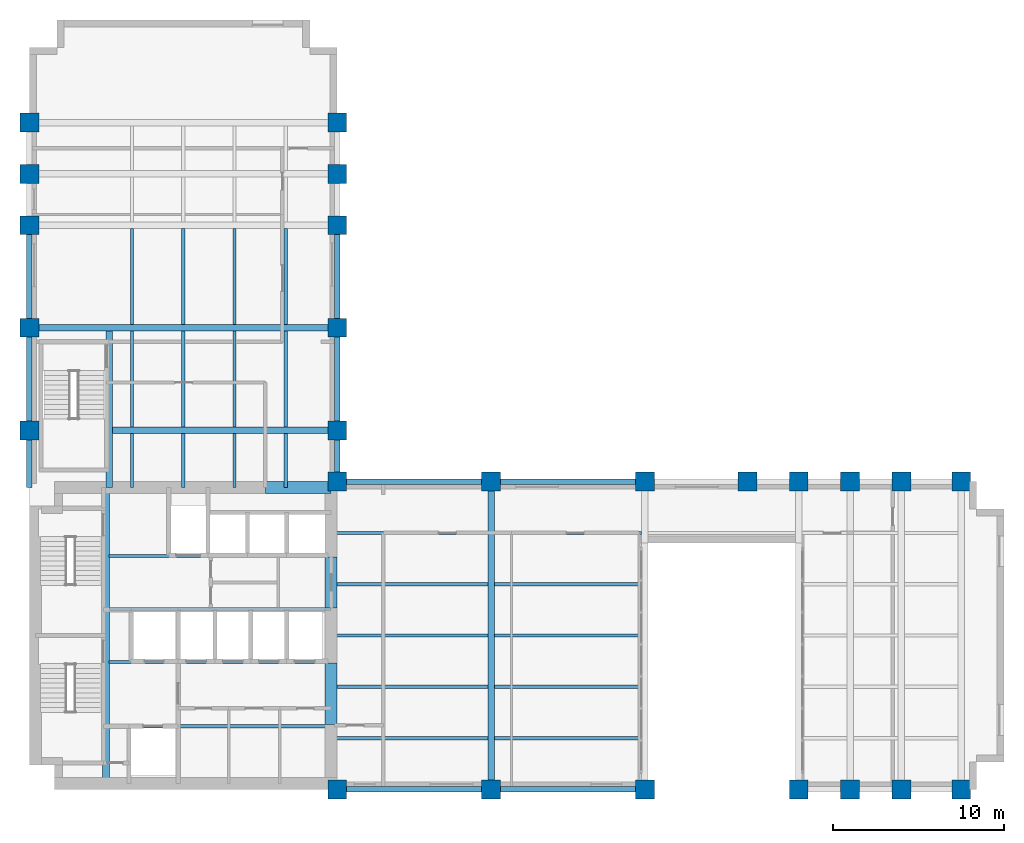
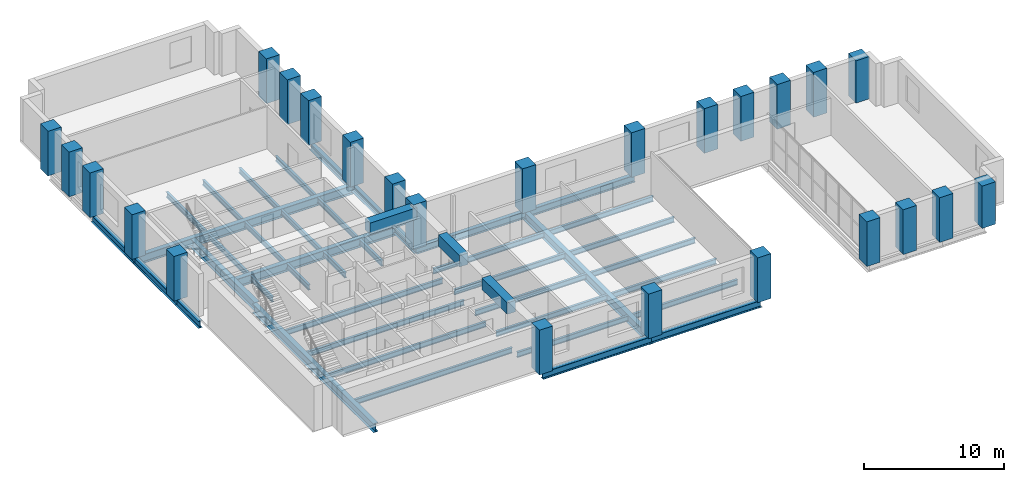
# One storey, part 1 of 10: 44 beams, 25 columns.
"""IFC4 building model written with IfcOpenShell, lengths in metres."""

from ifc_helpers import new_model, si_unit, direction, frame, origin, origin_2d, place, context, subcontext, project, spatial, rectangle, i_section, extrude, material, material_profile, profile_set, type_object, element, save


model = new_model("IFC4")

# Units and contexts
model_context = context("Model", 3, precision=1e-05, world=origin(), true_north=direction((0.0, 1.0)))
body_context = subcontext(model_context, "Body", "Model", "MODEL_VIEW")
ifc_project = project(units=[si_unit("LENGTHUNIT", "METRE"), si_unit("AREAUNIT", "SQUARE_METRE"), si_unit("VOLUMEUNIT", "CUBIC_METRE"), si_unit("PLANEANGLEUNIT", "RADIAN"), si_unit("MASSUNIT", "GRAM", prefix="KILO")], contexts=[model_context])

# Site, building, storey
site_placement = place(None, origin())
site = spatial("IfcSite", under=ifc_project, at=site_placement, CompositionType="ELEMENT")
building_placement = place(site_placement, origin())
building = spatial("IfcBuilding", under=site, at=building_placement, Name="Mawjdan Bourse Tower", CompositionType="ELEMENT")
storey_placement = place(building_placement, frame((0.0, 0.0, 124.5)))
storey = spatial("IfcBuildingStorey", under=building, at=storey_placement, Name="L29", CompositionType="ELEMENT", Elevation=124.5)

# Columns
ifc_material_1 = material(Name="Concrete C70/85", Category="concrete")
ifc_material_profile_1 = material_profile(ifc_material_1, rectangle(XDim=1.10009765625, YDim=1.10009765625, at=origin_2d()), Name="RC1100X1100")
ifc_profile_set_1 = profile_set([ifc_material_profile_1], Name="Concrete C70/85")
column_type = type_object("IfcColumnType", Name="COL-RC1100X1100", PredefinedType="COLUMN", material=ifc_profile_set_1)
for number, where, z_axis, x_axis, name in (
    (1, (24.0, 3.0, 0.0), (0.0, 0.0, 1.0), (1.0, 0.0, 0.0), "L29 Structural Column C-X240-Y30"),
    (2, (24.0, 21.0, 0.0), (0.0, 0.0, 1.0), (1.0, 0.0, 0.0), "L29 Structural Column C-X240-Y210"),
    (3, (33.0, 3.0, 0.0), (0.0, 0.0, 1.0), (1.0, 0.0, 0.0), "L29 Structural Column C-X330-Y30"),
    (4, (33.0, 21.0, 0.0), (0.0, 0.0, 1.0), (1.0, 0.0, 0.0), "L29 Structural Column C-X330-Y210"),
    (5, (42.0, 3.0, 0.0), (0.0, 0.0, 1.0), (1.0, 0.0, 0.0), "L29 Structural Column C-X420-Y30"),
    (6, (42.0, 21.0, 0.0), (0.0, 0.0, 1.0), (1.0, 0.0, 0.0), "L29 Structural Column C-X420-Y210"),
    (7, (48.0, 21.0, 0.0), (0.0, 0.0, 1.0), (1.0, 0.0, 0.0), "L29 Structural Column C-X480-Y210"),
    (8, (51.0, 3.0, 0.0), (0.0, 0.0, 1.0), (1.0, 0.0, 0.0), "L29 Structural Column C-X510-Y30"),
    (9, (51.0, 21.0, 0.0), (0.0, 0.0, 1.0), (1.0, 0.0, 0.0), "L29 Structural Column C-X510-Y210"),
    (10, (54.0, 3.0, 0.0), (0.0, 0.0, 1.0), (1.0, 0.0, 0.0), "L29 Structural Column C-X540-Y30"),
    (11, (54.0, 21.0, 0.0), (0.0, 0.0, 1.0), (1.0, 0.0, 0.0), "L29 Structural Column C-X540-Y210"),
    (12, (57.0, 3.0, 0.0), (0.0, 0.0, 1.0), (1.0, 0.0, 0.0), "L29 Structural Column C-X570-Y30"),
    (13, (57.0, 21.0, 0.0), (0.0, 0.0, 1.0), (1.0, 0.0, 0.0), "L29 Structural Column C-X570-Y210"),
):
    element("IfcColumn", number, at=place(storey_placement, frame(where, z_axis=z_axis, x_axis=x_axis)), inside=storey, type_object=column_type, Name=name, PredefinedType="COLUMN", context=body_context, shape_type="SweptSolid", body=[
        extrude(rectangle(XDim=1.10009765625, YDim=1.10009765625, at=origin_2d()), origin(), (0.0, 0.0, 1.0), 3.89990234375),
    ])
for number, where, z_axis, x_axis, name in (
    (14, (60.5, 3.0, 0.0), (0.0, 0.0, 1.0), (1.0, 0.0, 0.0), "L29 Structural Column C-X605-Y30"),
    (15, (60.5, 21.0, 0.0), (0.0, 0.0, 1.0), (1.0, 0.0, 0.0), "L29 Structural Column C-X605-Y210"),
):
    element("IfcColumn", number, at=place(storey_placement, frame(where, z_axis=z_axis, x_axis=x_axis)), inside=storey, type_object=column_type, Name=name, PredefinedType="COLUMN", context=body_context, shape_type="SweptSolid", body=[
        extrude(rectangle(XDim=1.10009765625, YDim=1.10009765625, at=origin_2d()), origin(), (0.0, 0.0, 1.0), 3.68896484375),
    ])
for number, where, z_axis, x_axis, name in (
    (16, (6.0, 24.0, 0.0), (0.0, 0.0, 1.0), (1.0, 0.0, 0.0), "L29 Structural Column C-X60-Y240"),
    (17, (24.0, 24.0, 0.0), (0.0, 0.0, 1.0), (1.0, 0.0, 0.0), "L29 Structural Column C-X240-Y240"),
    (18, (6.0, 30.0, 0.0), (0.0, 0.0, 1.0), (1.0, 0.0, 0.0), "L29 Structural Column C-X60-Y300"),
    (19, (24.0, 30.0, 0.0), (0.0, 0.0, 1.0), (1.0, 0.0, 0.0), "L29 Structural Column C-X240-Y300"),
    (20, (6.0, 36.0, 0.0), (0.0, 0.0, 1.0), (1.0, 0.0, 0.0), "L29 Structural Column C-X60-Y360"),
    (21, (24.0, 36.0, 0.0), (0.0, 0.0, 1.0), (1.0, 0.0, 0.0), "L29 Structural Column C-X240-Y360"),
    (22, (6.0, 39.0, 0.0), (0.0, 0.0, 1.0), (1.0, 0.0, 0.0), "L29 Structural Column C-X60-Y390"),
    (23, (24.0, 39.0, 0.0), (0.0, 0.0, 1.0), (1.0, 0.0, 0.0), "L29 Structural Column C-X240-Y390"),
    (24, (6.0, 42.0, 0.0), (0.0, 0.0, 1.0), (1.0, 0.0, 0.0), "L29 Structural Column C-X60-Y420"),
    (25, (24.0, 42.0, 0.0), (0.0, 0.0, 1.0), (1.0, 0.0, 0.0), "L29 Structural Column C-X240-Y420"),
):
    element("IfcColumn", number, at=place(storey_placement, frame(where, z_axis=z_axis, x_axis=x_axis)), inside=storey, type_object=column_type, Name=name, PredefinedType="COLUMN", context=body_context, shape_type="SweptSolid", body=[
        extrude(rectangle(XDim=1.10009765625, YDim=1.10009765625, at=origin_2d()), origin(), (0.0, 0.0, 1.0), 3.89990234375),
    ])

# Beams
ifc_material_2 = material(Name="Structural Steel S355", Category="steel")
ifc_material_profile_2 = material_profile(ifc_material_2, i_section(OverallWidth=0.381103515625, OverallDepth=0.77294921875, WebThickness=0.0166015625, FlangeThickness=0.027099609375, FilletRadius=0.021728515625, at=origin_2d()), Name="W30X173")
ifc_profile_set_2 = profile_set([ifc_material_profile_2], Name="Structural Steel S355")
beam_type_1 = type_object("IfcBeamType", Name="GRD-W30X173", PredefinedType="BEAM", material=ifc_profile_set_2)
beam_1_placement = place(storey_placement, frame((10.47998046875, 3.35009765625, -0.58642578125), z_axis=(0.0, 1.0, 0.0), x_axis=(-1.0, 0.0, 0.0)))
element("IfcBeam", 26, at=beam_1_placement, inside=storey, type_object=beam_type_1, Name="L29 Core Stair Trimmer Girder 001", PredefinedType="BEAM", context=body_context, shape_type="SweptSolid", body=[
    extrude(i_section(OverallWidth=0.381103515625, OverallDepth=0.77294921875, WebThickness=0.0166015625, FlangeThickness=0.027099609375, FilletRadius=0.021728515625, at=origin_2d()), origin(), (0.0, 0.0, 1.0), 17.2998046875),
])
beam_2_placement = place(storey_placement, frame((33.0, 3.0, -0.58642578125), z_axis=(0.0, 1.0, 0.0), x_axis=(-1.0, 0.0, 0.0)))
element("IfcBeam", 27, at=beam_2_placement, inside=storey, type_object=beam_type_1, Name="L29 East Wing Clear-Span Girder 002", PredefinedType="BEAM", context=body_context, shape_type="SweptSolid", body=[
    extrude(i_section(OverallWidth=0.381103515625, OverallDepth=0.77294921875, WebThickness=0.0166015625, FlangeThickness=0.027099609375, FilletRadius=0.021728515625, at=origin_2d()), origin(), (0.0, 0.0, 1.0), 18.0),
])
beam_3_placement = place(storey_placement, frame((10.679931640625, 20.64990234375, -0.58642578125), z_axis=(0.0, 1.0, 0.0), x_axis=(-1.0, 0.0, 0.0)))
element("IfcBeam", 28, at=beam_3_placement, inside=storey, type_object=beam_type_1, Name="L29 North Wing Stair Trimmer Girder 052", PredefinedType="BEAM", context=body_context, shape_type="SweptSolid", body=[
    extrude(i_section(OverallWidth=0.381103515625, OverallDepth=0.77294921875, WebThickness=0.0166015625, FlangeThickness=0.027099609375, FilletRadius=0.021728515625, at=origin_2d()), origin(), (0.0, 0.0, 1.0), 9.16162109375),
])
beam_4_placement = place(storey_placement, frame((10.868408203125, 24.0, -0.58642578125), z_axis=(1.0, 0.0, 0.0), x_axis=(0.0, 1.0, 0.0)))
element("IfcBeam", 29, at=beam_4_placement, inside=storey, type_object=beam_type_1, Name="L29 North Wing Clear-Span Girder 053", PredefinedType="BEAM", context=body_context, shape_type="SweptSolid", body=[
    extrude(i_section(OverallWidth=0.381103515625, OverallDepth=0.77294921875, WebThickness=0.0166015625, FlangeThickness=0.027099609375, FilletRadius=0.021728515625, at=origin_2d()), origin(), (0.0, 0.0, 1.0), 13.131591796875),
])
beam_5_placement = place(storey_placement, frame((6.0, 30.0, -0.58642578125), z_axis=(1.0, 0.0, 0.0), x_axis=(0.0, 1.0, 0.0)))
element("IfcBeam", 30, at=beam_5_placement, inside=storey, type_object=beam_type_1, Name="L29 North Wing Clear-Span Girder 054", PredefinedType="BEAM", context=body_context, shape_type="SweptSolid", body=[
    extrude(i_section(OverallWidth=0.381103515625, OverallDepth=0.77294921875, WebThickness=0.0166015625, FlangeThickness=0.027099609375, FilletRadius=0.021728515625, at=origin_2d()), origin(), (0.0, 0.0, 1.0), 18.0),
])
ifc_material_profile_3 = material_profile(ifc_material_2, i_section(OverallWidth=0.19189453125, OverallDepth=0.462890625, WebThickness=0.010498046875, FlangeThickness=0.017578125, FilletRadius=0.01416015625, at=origin_2d()), Name="W18X60")
ifc_profile_set_3 = profile_set([ifc_material_profile_3], Name="Structural Steel S355")
beam_type_2 = type_object("IfcBeamType", Name="JST-W18X60", PredefinedType="JOIST", material=ifc_profile_set_3)
beam_6_placement = place(storey_placement, frame((23.64990234375, 6.0, -0.431396484375), z_axis=(1.0, 0.0, 0.0), x_axis=(0.0, 1.0, 0.0)))
element("IfcBeam", 31, at=beam_6_placement, inside=storey, type_object=beam_type_2, Name="L29 East Wing Composite Joist 022", PredefinedType="JOIST", context=body_context, shape_type="SweptSolid", body=[
    extrude(i_section(OverallWidth=0.19189453125, OverallDepth=0.462890625, WebThickness=0.010498046875, FlangeThickness=0.017578125, FilletRadius=0.01416015625, at=origin_2d()), origin(), (0.0, 0.0, 1.0), 9.16162109375),
])
beam_7_placement = place(storey_placement, frame((33.1884765625, 6.0, -0.431396484375), z_axis=(1.0, 0.0, 0.0), x_axis=(0.0, 1.0, 0.0)))
element("IfcBeam", 32, at=beam_7_placement, inside=storey, type_object=beam_type_2, Name="L29 East Wing Composite Joist 023", PredefinedType="JOIST", context=body_context, shape_type="SweptSolid", body=[
    extrude(i_section(OverallWidth=0.19189453125, OverallDepth=0.462890625, WebThickness=0.010498046875, FlangeThickness=0.017578125, FilletRadius=0.01416015625, at=origin_2d()), origin(), (0.0, 0.0, 1.0), 8.623046875),
])
beam_8_placement = place(storey_placement, frame((23.64990234375, 9.0, -0.431396484375), z_axis=(1.0, 0.0, 0.0), x_axis=(0.0, 1.0, 0.0)))
element("IfcBeam", 33, at=beam_8_placement, inside=storey, type_object=beam_type_2, Name="L29 East Wing Composite Joist 027", PredefinedType="JOIST", context=body_context, shape_type="SweptSolid", body=[
    extrude(i_section(OverallWidth=0.19189453125, OverallDepth=0.462890625, WebThickness=0.010498046875, FlangeThickness=0.017578125, FilletRadius=0.01416015625, at=origin_2d()), origin(), (0.0, 0.0, 1.0), 9.16162109375),
])
beam_9_placement = place(storey_placement, frame((33.1884765625, 9.0, -0.431396484375), z_axis=(1.0, 0.0, 0.0), x_axis=(0.0, 1.0, 0.0)))
element("IfcBeam", 34, at=beam_9_placement, inside=storey, type_object=beam_type_2, Name="L29 East Wing Composite Joist 028", PredefinedType="JOIST", context=body_context, shape_type="SweptSolid", body=[
    extrude(i_section(OverallWidth=0.19189453125, OverallDepth=0.462890625, WebThickness=0.010498046875, FlangeThickness=0.017578125, FilletRadius=0.01416015625, at=origin_2d()), origin(), (0.0, 0.0, 1.0), 8.623046875),
])
beam_10_placement = place(storey_placement, frame((23.64990234375, 12.0, -0.431396484375), z_axis=(1.0, 0.0, 0.0), x_axis=(0.0, 1.0, 0.0)))
element("IfcBeam", 35, at=beam_10_placement, inside=storey, type_object=beam_type_2, Name="L29 East Wing Composite Joist 032", PredefinedType="JOIST", context=body_context, shape_type="SweptSolid", body=[
    extrude(i_section(OverallWidth=0.19189453125, OverallDepth=0.462890625, WebThickness=0.010498046875, FlangeThickness=0.017578125, FilletRadius=0.01416015625, at=origin_2d()), origin(), (0.0, 0.0, 1.0), 9.16162109375),
])
beam_11_placement = place(storey_placement, frame((33.1884765625, 12.0, -0.431396484375), z_axis=(1.0, 0.0, 0.0), x_axis=(0.0, 1.0, 0.0)))
element("IfcBeam", 36, at=beam_11_placement, inside=storey, type_object=beam_type_2, Name="L29 East Wing Composite Joist 033", PredefinedType="JOIST", context=body_context, shape_type="SweptSolid", body=[
    extrude(i_section(OverallWidth=0.19189453125, OverallDepth=0.462890625, WebThickness=0.010498046875, FlangeThickness=0.017578125, FilletRadius=0.01416015625, at=origin_2d()), origin(), (0.0, 0.0, 1.0), 8.623046875),
])
beam_12_placement = place(storey_placement, frame((23.64990234375, 15.0, -0.431396484375), z_axis=(1.0, 0.0, 0.0), x_axis=(0.0, 1.0, 0.0)))
element("IfcBeam", 37, at=beam_12_placement, inside=storey, type_object=beam_type_2, Name="L29 East Wing Composite Joist 037", PredefinedType="JOIST", context=body_context, shape_type="SweptSolid", body=[
    extrude(i_section(OverallWidth=0.19189453125, OverallDepth=0.462890625, WebThickness=0.010498046875, FlangeThickness=0.017578125, FilletRadius=0.01416015625, at=origin_2d()), origin(), (0.0, 0.0, 1.0), 9.16162109375),
])
beam_13_placement = place(storey_placement, frame((33.1884765625, 15.0, -0.431396484375), z_axis=(1.0, 0.0, 0.0), x_axis=(0.0, 1.0, 0.0)))
element("IfcBeam", 38, at=beam_13_placement, inside=storey, type_object=beam_type_2, Name="L29 East Wing Composite Joist 038", PredefinedType="JOIST", context=body_context, shape_type="SweptSolid", body=[
    extrude(i_section(OverallWidth=0.19189453125, OverallDepth=0.462890625, WebThickness=0.010498046875, FlangeThickness=0.017578125, FilletRadius=0.01416015625, at=origin_2d()), origin(), (0.0, 0.0, 1.0), 8.623046875),
])
beam_14_placement = place(storey_placement, frame((23.64990234375, 18.0, -0.431396484375), z_axis=(1.0, 0.0, 0.0), x_axis=(0.0, 1.0, 0.0)))
element("IfcBeam", 39, at=beam_14_placement, inside=storey, type_object=beam_type_2, Name="L29 East Wing Composite Joist 042", PredefinedType="JOIST", context=body_context, shape_type="SweptSolid", body=[
    extrude(i_section(OverallWidth=0.19189453125, OverallDepth=0.462890625, WebThickness=0.010498046875, FlangeThickness=0.017578125, FilletRadius=0.01416015625, at=origin_2d()), origin(), (0.0, 0.0, 1.0), 9.16162109375),
])
beam_15_placement = place(storey_placement, frame((33.1884765625, 18.0, -0.431396484375), z_axis=(1.0, 0.0, 0.0), x_axis=(0.0, 1.0, 0.0)))
element("IfcBeam", 40, at=beam_15_placement, inside=storey, type_object=beam_type_2, Name="L29 East Wing Composite Joist 043", PredefinedType="JOIST", context=body_context, shape_type="SweptSolid", body=[
    extrude(i_section(OverallWidth=0.19189453125, OverallDepth=0.462890625, WebThickness=0.010498046875, FlangeThickness=0.017578125, FilletRadius=0.01416015625, at=origin_2d()), origin(), (0.0, 0.0, 1.0), 8.623046875),
])
for number, where, z_axis, x_axis, name in (
    (41, (10.66845703125, 6.699951171875, -0.431396484375), (1.0, 0.0, 0.0), (0.0, 1.0, 0.0), "L29 Core Floor Joist 048"),
    (42, (10.66845703125, 10.449951171875, -0.431396484375), (1.0, 0.0, 0.0), (0.0, 1.0, 0.0), "L29 Core Floor Joist 049"),
    (43, (10.66845703125, 13.550048828125, -0.431396484375), (1.0, 0.0, 0.0), (0.0, 1.0, 0.0), "L29 Core Floor Joist 050"),
    (44, (10.66845703125, 16.64990234375, -0.431396484375), (1.0, 0.0, 0.0), (0.0, 1.0, 0.0), "L29 Core Floor Joist 051"),
):
    element("IfcBeam", number, at=place(storey_placement, frame(where, z_axis=z_axis, x_axis=x_axis)), inside=storey, type_object=beam_type_2, Name=name, PredefinedType="JOIST", context=body_context, shape_type="SweptSolid", body=[
        extrude(i_section(OverallWidth=0.19189453125, OverallDepth=0.462890625, WebThickness=0.010498046875, FlangeThickness=0.017578125, FilletRadius=0.01416015625, at=origin_2d()), origin(), (0.0, 0.0, 1.0), 12.9814453125),
    ])
beam_16_placement = place(storey_placement, frame((12.0, 20.64990234375, -0.431396484375), z_axis=(0.0, 1.0, 0.0), x_axis=(-1.0, 0.0, 0.0)))
element("IfcBeam", 45, at=beam_16_placement, inside=storey, type_object=beam_type_2, Name="L29 North Wing Composite Joist 068", PredefinedType="JOIST", context=body_context, shape_type="SweptSolid", body=[
    extrude(i_section(OverallWidth=0.19189453125, OverallDepth=0.462890625, WebThickness=0.010498046875, FlangeThickness=0.017578125, FilletRadius=0.01416015625, at=origin_2d()), origin(), (0.0, 0.0, 1.0), 3.16162109375),
])
for number, where, z_axis, x_axis, name in (
    (46, (12.0, 24.1884765625, -0.431396484375), (0.0, 1.0, 0.0), (-1.0, 0.0, 0.0), "L29 North Wing Composite Joist 069"),
    (47, (12.0, 30.1884765625, -0.431396484375), (0.0, 1.0, 0.0), (-1.0, 0.0, 0.0), "L29 North Wing Composite Joist 070"),
):
    element("IfcBeam", number, at=place(storey_placement, frame(where, z_axis=z_axis, x_axis=x_axis)), inside=storey, type_object=beam_type_2, Name=name, PredefinedType="JOIST", context=body_context, shape_type="SweptSolid", body=[
        extrude(i_section(OverallWidth=0.19189453125, OverallDepth=0.462890625, WebThickness=0.010498046875, FlangeThickness=0.017578125, FilletRadius=0.01416015625, at=origin_2d()), origin(), (0.0, 0.0, 1.0), 5.623046875),
    ])
beam_17_placement = place(storey_placement, frame((15.0, 20.64990234375, -0.431396484375), z_axis=(0.0, 1.0, 0.0), x_axis=(-1.0, 0.0, 0.0)))
element("IfcBeam", 48, at=beam_17_placement, inside=storey, type_object=beam_type_2, Name="L29 North Wing Composite Joist 073", PredefinedType="JOIST", context=body_context, shape_type="SweptSolid", body=[
    extrude(i_section(OverallWidth=0.19189453125, OverallDepth=0.462890625, WebThickness=0.010498046875, FlangeThickness=0.017578125, FilletRadius=0.01416015625, at=origin_2d()), origin(), (0.0, 0.0, 1.0), 3.16162109375),
])
for number, where, z_axis, x_axis, name in (
    (49, (15.0, 24.1884765625, -0.431396484375), (0.0, 1.0, 0.0), (-1.0, 0.0, 0.0), "L29 North Wing Composite Joist 074"),
    (50, (15.0, 30.1884765625, -0.431396484375), (0.0, 1.0, 0.0), (-1.0, 0.0, 0.0), "L29 North Wing Composite Joist 075"),
):
    element("IfcBeam", number, at=place(storey_placement, frame(where, z_axis=z_axis, x_axis=x_axis)), inside=storey, type_object=beam_type_2, Name=name, PredefinedType="JOIST", context=body_context, shape_type="SweptSolid", body=[
        extrude(i_section(OverallWidth=0.19189453125, OverallDepth=0.462890625, WebThickness=0.010498046875, FlangeThickness=0.017578125, FilletRadius=0.01416015625, at=origin_2d()), origin(), (0.0, 0.0, 1.0), 5.623046875),
    ])
beam_18_placement = place(storey_placement, frame((18.0, 20.64990234375, -0.431396484375), z_axis=(0.0, 1.0, 0.0), x_axis=(-1.0, 0.0, 0.0)))
element("IfcBeam", 51, at=beam_18_placement, inside=storey, type_object=beam_type_2, Name="L29 North Wing Composite Joist 078", PredefinedType="JOIST", context=body_context, shape_type="SweptSolid", body=[
    extrude(i_section(OverallWidth=0.19189453125, OverallDepth=0.462890625, WebThickness=0.010498046875, FlangeThickness=0.017578125, FilletRadius=0.01416015625, at=origin_2d()), origin(), (0.0, 0.0, 1.0), 3.16162109375),
])
for number, where, z_axis, x_axis, name in (
    (52, (18.0, 24.1884765625, -0.431396484375), (0.0, 1.0, 0.0), (-1.0, 0.0, 0.0), "L29 North Wing Composite Joist 079"),
    (53, (18.0, 30.1884765625, -0.431396484375), (0.0, 1.0, 0.0), (-1.0, 0.0, 0.0), "L29 North Wing Composite Joist 080"),
):
    element("IfcBeam", number, at=place(storey_placement, frame(where, z_axis=z_axis, x_axis=x_axis)), inside=storey, type_object=beam_type_2, Name=name, PredefinedType="JOIST", context=body_context, shape_type="SweptSolid", body=[
        extrude(i_section(OverallWidth=0.19189453125, OverallDepth=0.462890625, WebThickness=0.010498046875, FlangeThickness=0.017578125, FilletRadius=0.01416015625, at=origin_2d()), origin(), (0.0, 0.0, 1.0), 5.623046875),
    ])
beam_19_placement = place(storey_placement, frame((21.0, 20.64990234375, -0.431396484375), z_axis=(0.0, 1.0, 0.0), x_axis=(-1.0, 0.0, 0.0)))
element("IfcBeam", 54, at=beam_19_placement, inside=storey, type_object=beam_type_2, Name="L29 North Wing Composite Joist 083", PredefinedType="JOIST", context=body_context, shape_type="SweptSolid", body=[
    extrude(i_section(OverallWidth=0.19189453125, OverallDepth=0.462890625, WebThickness=0.010498046875, FlangeThickness=0.017578125, FilletRadius=0.01416015625, at=origin_2d()), origin(), (0.0, 0.0, 1.0), 3.16162109375),
])
for number, where, z_axis, x_axis, name in (
    (55, (21.0, 24.1884765625, -0.431396484375), (0.0, 1.0, 0.0), (-1.0, 0.0, 0.0), "L29 North Wing Composite Joist 084"),
    (56, (21.0, 30.1884765625, -0.431396484375), (0.0, 1.0, 0.0), (-1.0, 0.0, 0.0), "L29 North Wing Composite Joist 085"),
):
    element("IfcBeam", number, at=place(storey_placement, frame(where, z_axis=z_axis, x_axis=x_axis)), inside=storey, type_object=beam_type_2, Name=name, PredefinedType="JOIST", context=body_context, shape_type="SweptSolid", body=[
        extrude(i_section(OverallWidth=0.19189453125, OverallDepth=0.462890625, WebThickness=0.010498046875, FlangeThickness=0.017578125, FilletRadius=0.01416015625, at=origin_2d()), origin(), (0.0, 0.0, 1.0), 5.623046875),
    ])
ifc_material_profile_4 = material_profile(ifc_material_1, rectangle(XDim=0.699951171875, YDim=1.0, at=origin_2d()), Name="RCB700X1000")
ifc_profile_set_4 = profile_set([ifc_material_profile_4], Name="Concrete C70/85")
beam_type_3 = type_object("IfcBeamType", Name="LNT-RCB700X1000", PredefinedType="LINTEL", material=ifc_profile_set_4)
beam_20_placement = place(storey_placement, frame((23.64990234375, 6.800048828125, 3.199951171875), z_axis=(0.0, 1.0, 0.0), x_axis=(-1.0, 0.0, 0.0)))
element("IfcBeam", 57, at=beam_20_placement, inside=storey, type_object=beam_type_3, Name="L29 Coupled Core Lintel CB-E1", PredefinedType="LINTEL", context=body_context, shape_type="SweptSolid", body=[
    extrude(rectangle(XDim=0.699951171875, YDim=1.0, at=origin_2d()), origin(), (0.0, 0.0, 1.0), 3.599853515625),
])
beam_21_placement = place(storey_placement, frame((23.64990234375, 13.60009765625, 3.199951171875), z_axis=(0.0, 1.0, 0.0), x_axis=(-1.0, 0.0, 0.0)))
element("IfcBeam", 58, at=beam_21_placement, inside=storey, type_object=beam_type_3, Name="L29 Coupled Core Lintel CB-E2", PredefinedType="LINTEL", context=body_context, shape_type="SweptSolid", body=[
    extrude(rectangle(XDim=0.699951171875, YDim=1.0, at=origin_2d()), origin(), (0.0, 0.0, 1.0), 3.0),
])
beam_22_placement = place(storey_placement, frame((19.800048828125, 20.64990234375, 3.199951171875), z_axis=(1.0, 0.0, 0.0), x_axis=(0.0, 1.0, 0.0)))
element("IfcBeam", 59, at=beam_22_placement, inside=storey, type_object=beam_type_3, Name="L29 Coupled Core Lintel CB-N1", PredefinedType="LINTEL", context=body_context, shape_type="SweptSolid", body=[
    extrude(rectangle(XDim=0.699951171875, YDim=1.0, at=origin_2d()), origin(), (0.0, 0.0, 1.0), 3.849853515625),
])
ifc_material_profile_5 = material_profile(ifc_material_2, i_section(OverallWidth=0.324951171875, OverallDepth=0.616943359375, WebThickness=0.013916015625, FlangeThickness=0.021484375, FilletRadius=0.017333984375, at=origin_2d()), Name="W24X117")
ifc_profile_set_5 = profile_set([ifc_material_profile_5], Name="Structural Steel S355")
beam_type_4 = type_object("IfcBeamType", Name="SPN-W24X117", PredefinedType="SPANDREL", material=ifc_profile_set_5)
for number, where, z_axis, x_axis, name in (
    (60, (24.0, 3.0, -0.508544921875), (1.0, 0.0, 0.0), (0.0, 1.0, 0.0), "L29 Perimeter Masonry-Shelf Spandrel 010"),
    (61, (33.0, 3.0, -0.508544921875), (1.0, 0.0, 0.0), (0.0, 1.0, 0.0), "L29 Perimeter Masonry-Shelf Spandrel 011"),
    (62, (24.0, 21.0, -0.508544921875), (1.0, 0.0, 0.0), (0.0, 1.0, 0.0), "L29 Perimeter Masonry-Shelf Spandrel 015"),
    (63, (33.0, 21.0, -0.508544921875), (1.0, 0.0, 0.0), (0.0, 1.0, 0.0), "L29 Perimeter Masonry-Shelf Spandrel 016"),
):
    element("IfcBeam", number, at=place(storey_placement, frame(where, z_axis=z_axis, x_axis=x_axis)), inside=storey, type_object=beam_type_4, Name=name, PredefinedType="SPANDREL", context=body_context, shape_type="SweptSolid", body=[
        extrude(i_section(OverallWidth=0.324951171875, OverallDepth=0.616943359375, WebThickness=0.013916015625, FlangeThickness=0.021484375, FilletRadius=0.017333984375, at=origin_2d()), origin(), (0.0, 0.0, 1.0), 9.0),
    ])
beam_23_placement = place(storey_placement, frame((6.0, 20.64990234375, -0.508544921875), z_axis=(0.0, 1.0, 0.0), x_axis=(-1.0, 0.0, 0.0)))
element("IfcBeam", 64, at=beam_23_placement, inside=storey, type_object=beam_type_4, Name="L29 North Wing Spandrel 058", PredefinedType="SPANDREL", context=body_context, shape_type="SweptSolid", body=[
    extrude(i_section(OverallWidth=0.324951171875, OverallDepth=0.616943359375, WebThickness=0.013916015625, FlangeThickness=0.021484375, FilletRadius=0.017333984375, at=origin_2d()), origin(), (0.0, 0.0, 1.0), 3.35009765625),
])
for number, where, z_axis, x_axis, name in (
    (65, (6.0, 24.0, -0.508544921875), (0.0, 1.0, 0.0), (-1.0, 0.0, 0.0), "L29 North Wing Spandrel 059"),
    (66, (6.0, 30.0, -0.508544921875), (0.0, 1.0, 0.0), (-1.0, 0.0, 0.0), "L29 North Wing Spandrel 060"),
):
    element("IfcBeam", number, at=place(storey_placement, frame(where, z_axis=z_axis, x_axis=x_axis)), inside=storey, type_object=beam_type_4, Name=name, PredefinedType="SPANDREL", context=body_context, shape_type="SweptSolid", body=[
        extrude(i_section(OverallWidth=0.324951171875, OverallDepth=0.616943359375, WebThickness=0.013916015625, FlangeThickness=0.021484375, FilletRadius=0.017333984375, at=origin_2d()), origin(), (0.0, 0.0, 1.0), 6.0),
    ])
beam_24_placement = place(storey_placement, frame((24.0, 21.0, -0.508544921875), z_axis=(0.0, 1.0, 0.0), x_axis=(-1.0, 0.0, 0.0)))
element("IfcBeam", 67, at=beam_24_placement, inside=storey, type_object=beam_type_4, Name="L29 North Wing Spandrel 063", PredefinedType="SPANDREL", context=body_context, shape_type="SweptSolid", body=[
    extrude(i_section(OverallWidth=0.324951171875, OverallDepth=0.616943359375, WebThickness=0.013916015625, FlangeThickness=0.021484375, FilletRadius=0.017333984375, at=origin_2d()), origin(), (0.0, 0.0, 1.0), 3.0),
])
for number, where, z_axis, x_axis, name in (
    (68, (24.0, 24.0, -0.508544921875), (0.0, 1.0, 0.0), (-1.0, 0.0, 0.0), "L29 North Wing Spandrel 064"),
    (69, (24.0, 30.0, -0.508544921875), (0.0, 1.0, 0.0), (-1.0, 0.0, 0.0), "L29 North Wing Spandrel 065"),
):
    element("IfcBeam", number, at=place(storey_placement, frame(where, z_axis=z_axis, x_axis=x_axis)), inside=storey, type_object=beam_type_4, Name=name, PredefinedType="SPANDREL", context=body_context, shape_type="SweptSolid", body=[
        extrude(i_section(OverallWidth=0.324951171875, OverallDepth=0.616943359375, WebThickness=0.013916015625, FlangeThickness=0.021484375, FilletRadius=0.017333984375, at=origin_2d()), origin(), (0.0, 0.0, 1.0), 6.0),
    ])

save(model, "model.ifc")
